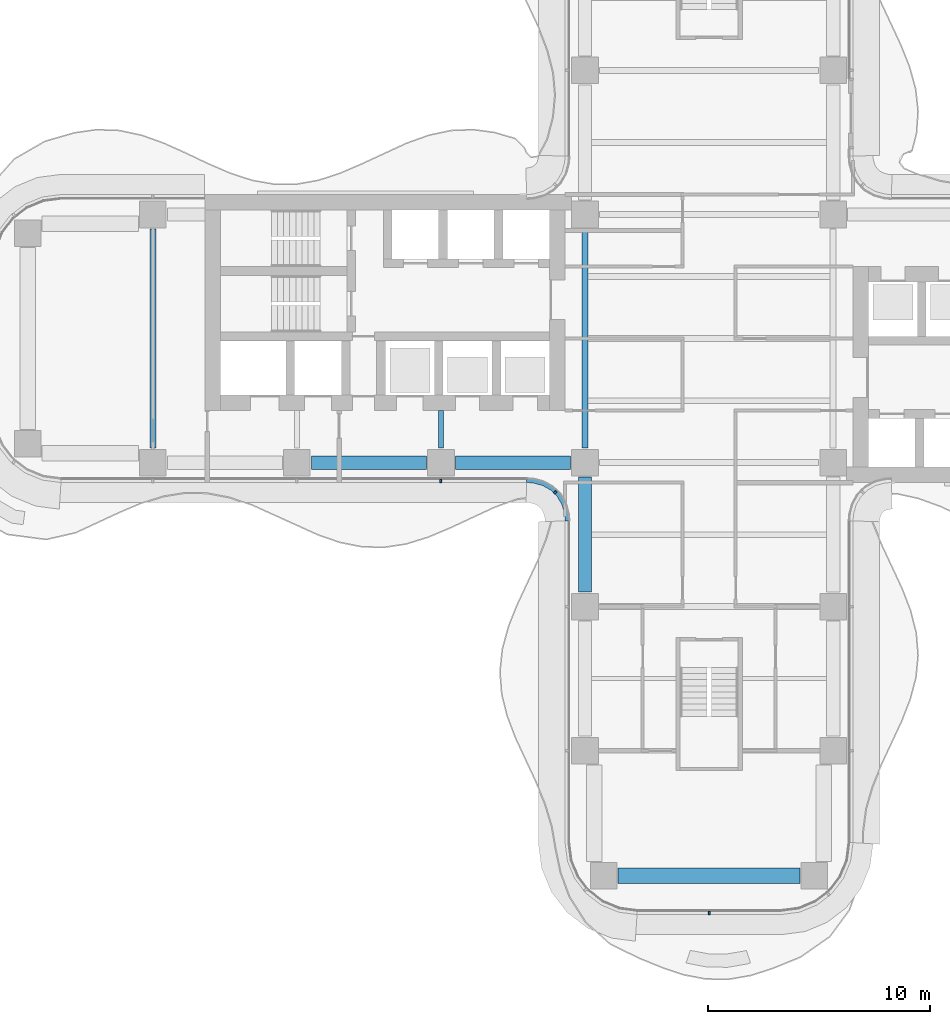
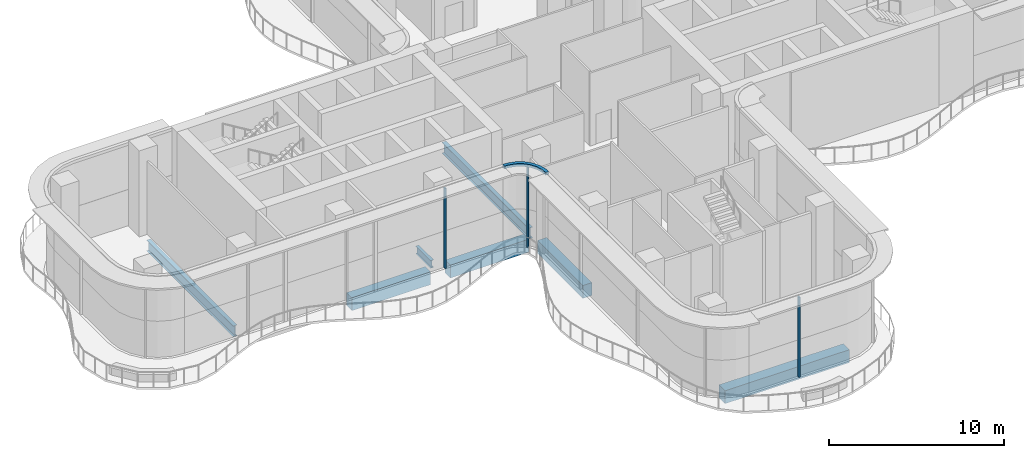
# One storey, part 3 of 19: 7 beams, 4 members, 3 elements without a shape of their own.
"""IFC4 building model written with IfcOpenShell, lengths in metres."""

from ifc_helpers import new_model, si_unit, direction, frame, origin, origin_2d, place, context, subcontext, project, spatial, polyline, rectangle, i_section, outline, extrude, source, transform, mapped, material, layer, layer_set, material_profile, profile_set, type_object, element, aggregate, save


model = new_model("IFC4")

# Units and contexts
model_context = context("Model", 3, precision=1e-05, world=origin(), true_north=direction((0.0, 1.0)))
body_context = subcontext(model_context, "Body", "Model", "MODEL_VIEW")
ifc_project = project(units=[si_unit("LENGTHUNIT", "METRE"), si_unit("AREAUNIT", "SQUARE_METRE"), si_unit("VOLUMEUNIT", "CUBIC_METRE"), si_unit("PLANEANGLEUNIT", "RADIAN"), si_unit("MASSUNIT", "GRAM", prefix="KILO")], contexts=[model_context])

# Site, building, storey
site_placement = place(None, origin())
site = spatial("IfcSite", under=ifc_project, at=site_placement, CompositionType="ELEMENT")
building_placement = place(site_placement, origin())
building = spatial("IfcBuilding", under=site, at=building_placement, Name="Trellis Farm Tower", CompositionType="ELEMENT")
storey_placement = place(building_placement, frame((0.0, 0.0, 156.0)))
storey = spatial("IfcBuildingStorey", under=building, at=storey_placement, Name="L33", CompositionType="ELEMENT", Elevation=156.0)

# Beams
ifc_material_1 = material(Name="Steel S355", Category="steel")
ifc_material_profile_1 = material_profile(ifc_material_1, i_section(OverallWidth=0.2666015625, OverallDepth=0.76220703125, WebThickness=0.014404296875, FlangeThickness=0.021484375, FilletRadius=0.0166015625, at=origin_2d()), Name="UB 762x267x173")
ifc_profile_set_1 = profile_set([ifc_material_profile_1], Name="Steel S355")
beam_type_1 = type_object("IfcBeamType", Name="UB 762x267x173", PredefinedType="BEAM", material=ifc_profile_set_1)
shared_shape_1 = source(origin(), body_context, "Body", "SweptSolid", [
    extrude(i_section(OverallWidth=0.2666015625, OverallDepth=0.76220703125, WebThickness=0.014404296875, FlangeThickness=0.021484375, FilletRadius=0.0166015625, at=origin_2d()), origin(), (0.0, 0.0, 1.0), 9.89990234375),
])
for number, where, z_axis, x_axis, name in (
    (1, (-25.10009765625, -4.949951171875, -0.731201171875), (0.0, 1.0, 0.0), (-1.0, 0.0, 0.0), "Girder"),
    (2, (-5.60009765625, -4.949951171875, -0.731201171875), (0.0, 1.0, 0.0), (-1.0, 0.0, 0.0), "Girder"),
):
    element("IfcBeam", number, at=place(storey_placement, frame(where, z_axis=z_axis, x_axis=x_axis)), inside=storey, type_object=beam_type_1, Name=name, PredefinedType="BEAM", context=body_context, shape_type="MappedRepresentation", body=[
        mapped(shared_shape_1, transform((0.0, 0.0, 0.0))),
    ])
ifc_material_profile_2 = material_profile(ifc_material_1, i_section(OverallWidth=0.209228515625, OverallDepth=0.533203125, WebThickness=0.010009765625, FlangeThickness=0.015625, FilletRadius=0.0126953125, at=origin_2d()), Name="UB 533x210x92")
ifc_profile_set_2 = profile_set([ifc_material_profile_2], Name="Steel S355")
beam_type_2 = type_object("IfcBeamType", Name="UB 533x210x92", PredefinedType="BEAM", material=ifc_profile_set_2)
shared_shape_2 = source(origin(), body_context, "Body", "SweptSolid", [
    extrude(i_section(OverallWidth=0.209228515625, OverallDepth=0.533203125, WebThickness=0.010009765625, FlangeThickness=0.015625, FilletRadius=0.0126953125, at=origin_2d()), origin(), (0.0, 0.0, 1.0), 1.699951171875),
])
beam_1_placement = place(storey_placement, frame((-12.10009765625, -4.949951171875, -0.616455078125), z_axis=(0.0, 1.0, 0.0), x_axis=(-1.0, 0.0, 0.0)))
element("IfcBeam", 3, at=beam_1_placement, inside=storey, type_object=beam_type_2, Name="Girder", PredefinedType="BEAM", context=body_context, shape_type="MappedRepresentation", body=[
    mapped(shared_shape_2, transform((0.0, 0.0, 0.0))),
])
ifc_material_2 = material(Name="Concrete C60/75", Category="concrete")
ifc_material_profile_3 = material_profile(ifc_material_2, rectangle(XDim=0.60009765625, YDim=0.89990234375, at=origin_2d()), Name="RC spandrel beam 600x900 C60/75")
ifc_profile_set_3 = profile_set([ifc_material_profile_3], Name="Concrete C60/75")
beam_type_3 = type_object("IfcBeamType", Name="RC spandrel beam 600x900 C60/75", PredefinedType="SPANDREL", material=ifc_profile_set_3)
shared_shape_3 = source(origin(), body_context, "Body", "SweptSolid", [
    extrude(rectangle(XDim=0.60009765625, YDim=0.89990234375, at=origin_2d()), origin(), (0.0, 0.0, 1.0), 5.199951171875),
])
for number, where, z_axis, x_axis, name in (
    (4, (-17.949951171875, -5.60009765625, -0.800048828125), (1.0, 0.0, 0.0), (0.0, 1.0, 0.0), "Girder"),
    (5, (-11.449951171875, -5.60009765625, -0.800048828125), (1.0, 0.0, 0.0), (0.0, 1.0, 0.0), "Girder"),
    (6, (-5.60009765625, -11.449951171875, -0.800048828125), (0.0, 1.0, 0.0), (-1.0, 0.0, 0.0), "Girder"),
):
    element("IfcBeam", number, at=place(storey_placement, frame(where, z_axis=z_axis, x_axis=x_axis)), inside=storey, type_object=beam_type_3, Name=name, PredefinedType="SPANDREL", context=body_context, shape_type="MappedRepresentation", body=[
        mapped(shared_shape_3, transform((0.0, 0.0, 0.0))),
    ])
ifc_material_profile_4 = material_profile(ifc_material_2, rectangle(XDim=0.699951171875, YDim=0.89990234375, at=origin_2d()), Name="RC spandrel beam 700x900 C60/75")
ifc_profile_set_4 = profile_set([ifc_material_profile_4], Name="Concrete C60/75")
beam_type_4 = type_object("IfcBeamType", Name="RC spandrel beam 700x900 C60/75", PredefinedType="SPANDREL", material=ifc_profile_set_4)
shared_shape_4 = source(origin(), body_context, "Body", "SweptSolid", [
    extrude(rectangle(XDim=0.699951171875, YDim=0.89990234375, at=origin_2d()), origin(), (0.0, 0.0, 1.0), 8.2001953125),
])
beam_2_placement = place(storey_placement, frame((-4.10009765625, -24.25, -0.800048828125), z_axis=(1.0, 0.0, 0.0), x_axis=(0.0, 1.0, 0.0)))
element("IfcBeam", 7, at=beam_2_placement, inside=storey, type_object=beam_type_4, Name="Girder", PredefinedType="SPANDREL", context=body_context, shape_type="MappedRepresentation", body=[
    mapped(shared_shape_4, transform((0.0, 0.0, 0.0))),
])

# Curtain wall, member
ifc_material_3 = material(Name="Aluminium and glass curtain wall", Category="aluminium")
ifc_layer_1 = layer(ifc_material_3, 0.196044921875)
ifc_layer_set_1 = layer_set([ifc_layer_1], Name="LOUVRED GLASS CURTAIN WALL CW6")
curtain_wall_type = type_object("IfcCurtainWallType", Name="LOUVRED GLASS CURTAIN WALL CW6", PredefinedType="NOTDEFINED", material=ifc_layer_set_1)
placement = place(storey_placement, origin())
curtain_wall_1 = element("IfcCurtainWall", 8, at=placement, inside=storey, type_object=curtain_wall_type, Name="CW6 001", PredefinedType="NOTDEFINED")
ifc_material_4 = material(Name="Aluminium extrusion 6063-T6", Category="aluminium")
ifc_material_profile_5 = material_profile(ifc_material_4, rectangle(XDim=0.090087890625, YDim=0.159912109375, at=origin_2d()), Name="MULLION 90x160")
ifc_profile_set_5 = profile_set([ifc_material_profile_5], Name="Aluminium extrusion 6063-T6")
member_type_1 = type_object("IfcMemberType", Name="CW6 MULLION 90x160", PredefinedType="MULLION", material=ifc_profile_set_5)
shared_shape_5 = source(origin(), body_context, "Body", "SweptSolid", [
    extrude(rectangle(XDim=0.090087890625, YDim=0.159912109375, at=origin_2d()), origin(), (0.0, 0.0, 1.0), 5.60009765625),
])
member_1_placement = place(storey_placement, frame((-12.10009765625, -6.419921875, 0.0), z_axis=(0.0, 0.0, 1.0), x_axis=(1.0, 0.0, 0.0)))
member_1 = element("IfcMember", 9, at=member_1_placement, type_object=member_type_1, Name="MU6 001-03", PredefinedType="MULLION", context=body_context, shape_type="MappedRepresentation", body=[
    mapped(shared_shape_5, transform((0.0, 0.0, 0.0))),
])
aggregate(curtain_wall_1, [member_1])

curtain_wall_2 = element("IfcCurtainWall", 10, at=placement, inside=storey, type_object=curtain_wall_type, Name="CW6 002", PredefinedType="NOTDEFINED")
member_2_placement = place(storey_placement, frame((-6.93896484375, -6.93896484375, 0.0), z_axis=(0.0, 0.0, 1.0), x_axis=(0.707106781187, -0.707106781187, 0.0)))
member_2 = element("IfcMember", 11, at=member_2_placement, type_object=member_type_1, Name="MU6 002-01", PredefinedType="MULLION", context=body_context, shape_type="MappedRepresentation", body=[
    mapped(shared_shape_5, transform((0.0, 0.0, 0.0))),
])

curtain_wall_3 = element("IfcCurtainWall", 12, at=placement, inside=storey, type_object=curtain_wall_type, Name="CW6 004", PredefinedType="NOTDEFINED")
member_3_placement = place(storey_placement, frame((0.0, -25.919921875, 0.0), z_axis=(0.0, 0.0, 1.0), x_axis=(1.0, 0.0, 0.0)))
member_3 = element("IfcMember", 13, at=member_3_placement, type_object=member_type_1, Name="MU6 004-01", PredefinedType="MULLION", context=body_context, shape_type="MappedRepresentation", body=[
    mapped(shared_shape_5, transform((0.0, 0.0, 0.0))),
])
aggregate(curtain_wall_3, [member_3])

# Member
ifc_layer_2 = layer(ifc_material_4, 0.2099609375)
ifc_layer_set_2 = layer_set([ifc_layer_2], Name="Aluminium extrusion 6063-T6")
member_type_2 = type_object("IfcMemberType", Name="CW6 TRANSOM 210x200", PredefinedType="USERDEFINED", material=ifc_layer_set_2)
shared_shape_6 = source(origin(), body_context, "Body", "SweptSolid", [
    extrude(outline(polyline([(-8.2314453125, -6.5), (-8.01953125, -6.513916015625), (-7.91552734375, -6.527587890625), (-7.508544921875, -6.63671875), (-7.144287109375, -6.846923828125), (-6.846923828125, -7.144287109375), (-6.63671875, -7.508544921875), (-6.527587890625, -7.91552734375), (-6.513916015625, -8.01953125), (-6.5, -8.2314453125), (-6.2900390625, -8.224609375), (-6.3046875, -7.9990234375), (-6.321044921875, -7.87451171875), (-6.44091796875, -7.427490234375), (-6.678955078125, -7.015380859375), (-7.015380859375, -6.678955078125), (-7.427490234375, -6.44091796875), (-7.87451171875, -6.321044921875), (-7.9990234375, -6.3046875), (-8.224609375, -6.2900390625), (-8.2314453125, -6.5)])), origin(), (0.0, 0.0, 1.0), 0.199951171875),
])
member_4_placement = place(storey_placement, frame((0.0, 0.0, 5.60009765625)))
member_4 = element("IfcMember", 14, at=member_4_placement, type_object=member_type_2, Name="TR6 002", ObjectType="TRANSOM", PredefinedType="USERDEFINED", context=body_context, shape_type="MappedRepresentation", body=[
    mapped(shared_shape_6, transform((0.0, 0.0, 0.0))),
])

aggregate(curtain_wall_2, [member_2, member_4])

save(model, "model.ifc")
